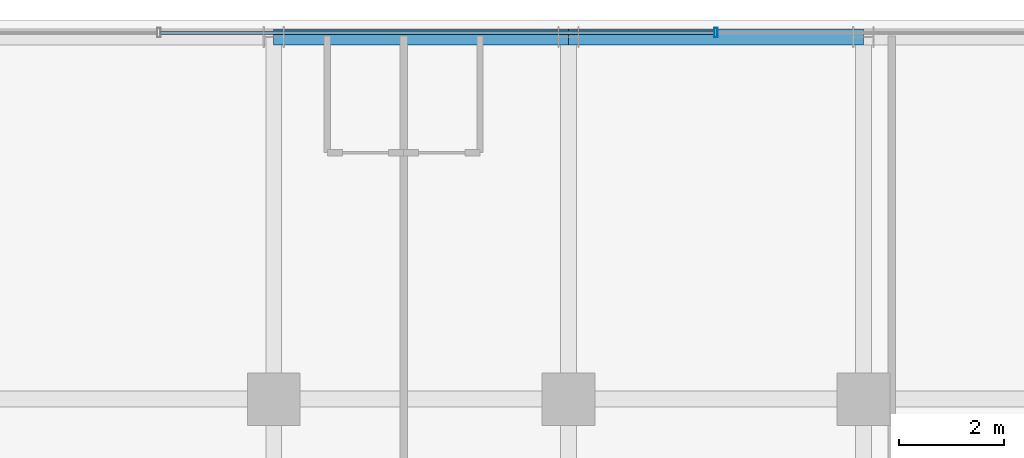
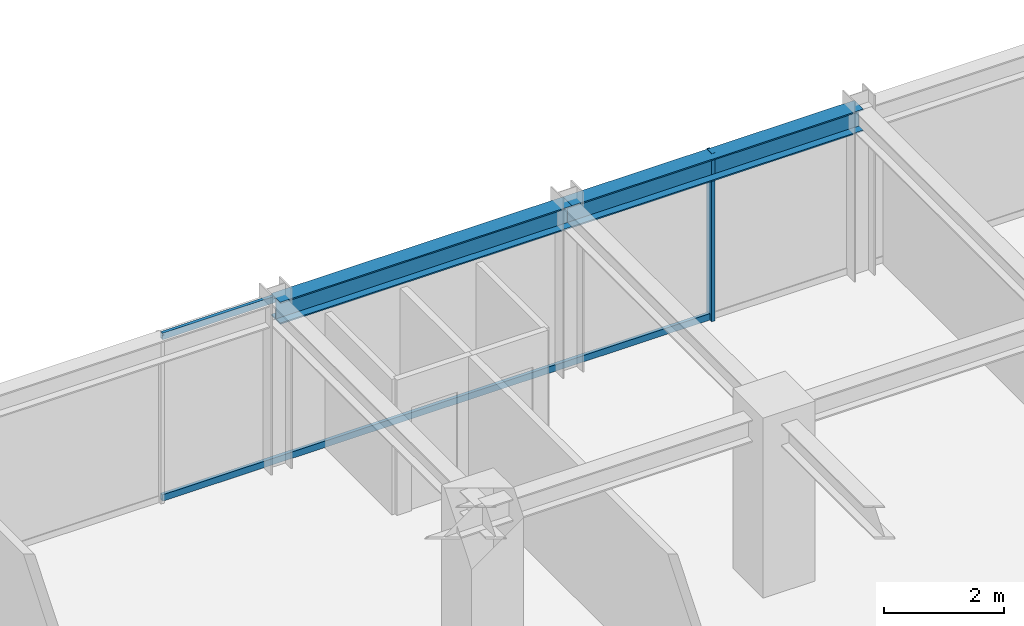
# One storey, part 21 of 34: 3 members, 2 beams, 1 element without a shape of its own.
"""IFC4 building model written with IfcOpenShell, lengths in metres."""

from ifc_helpers import new_model, si_unit, direction, frame, origin, origin_2d, place, context, subcontext, project, spatial, hollow_rectangle, i_section, extrude, source, transform, mapped, material, material_profile, profile_set, type_object, element, aggregate, save


model = new_model("IFC4")

# Units and contexts
model_context = context("Model", 3, precision=1e-05, world=origin(), true_north=direction((0.0, 1.0)))
body_context = subcontext(model_context, "Body", "Model", "MODEL_VIEW")
ifc_project = project(units=[si_unit("LENGTHUNIT", "METRE"), si_unit("AREAUNIT", "SQUARE_METRE"), si_unit("VOLUMEUNIT", "CUBIC_METRE"), si_unit("PLANEANGLEUNIT", "RADIAN"), si_unit("MASSUNIT", "GRAM", prefix="KILO")], contexts=[model_context])

# Site, building, storey
site_placement = place(None, origin())
site = spatial("IfcSite", under=ifc_project, at=site_placement, CompositionType="ELEMENT")
building_placement = place(site_placement, origin())
building = spatial("IfcBuilding", under=site, at=building_placement, Name="Nahalor Promenade Grand Hotel", CompositionType="ELEMENT")
storey_placement = place(building_placement, frame((0.0, 0.0, 238.199951171875)))
storey = spatial("IfcBuildingStorey", under=building, at=storey_placement, Name="L61", CompositionType="ELEMENT", Elevation=238.199951171875)

# Beams
ifc_material_1 = material(Name="Steel S355JR", Category="steel")
ifc_material_profile_1 = material_profile(ifc_material_1, i_section(OverallWidth=0.3, OverallDepth=0.45, WebThickness=0.014, FlangeThickness=0.026, at=origin_2d()), Name="HEB 450")
ifc_profile_set_1 = profile_set([ifc_material_profile_1], Name="Steel S355JR")
beam_type = type_object("IfcBeamType", Name="Beam-Spandrel-HEB450", PredefinedType="SPANDREL", material=ifc_profile_set_1)
shared_shape_1 = source(origin(), body_context, "Body", "SweptSolid", [
    extrude(i_section(OverallWidth=0.3, OverallDepth=0.45, WebThickness=0.014, FlangeThickness=0.026, at=origin_2d()), origin(), (0.0, 0.0, 1.0), 5.599853515625),
])
beam_1_placement = place(storey_placement, frame((-8.39990234375, 23.8798828125, 3.18505859375), z_axis=(1.0, 0.0, 0.0), x_axis=(0.0, 1.0, 0.0)))
element("IfcBeam", 1, at=beam_1_placement, inside=storey, type_object=beam_type, Name="BM-L61-SP-N-1", PredefinedType="SPANDREL", context=body_context, shape_type="MappedRepresentation", body=[
    mapped(shared_shape_1, transform((0.0, 0.0, 0.0), scale=1.0)),
])
shared_shape_2 = source(origin(), body_context, "Body", "SweptSolid", [
    extrude(i_section(OverallWidth=0.3, OverallDepth=0.45, WebThickness=0.014, FlangeThickness=0.026, at=origin_2d()), origin(), (0.0, 0.0, 1.0), 5.60009765625),
])
beam_2_placement = place(storey_placement, frame((-2.800048828125, 23.8798828125, 3.18505859375), z_axis=(1.0, 0.0, 0.0), x_axis=(0.0, 1.0, 0.0)))
element("IfcBeam", 2, at=beam_2_placement, inside=storey, type_object=beam_type, Name="BM-L61-SP-N-2", PredefinedType="SPANDREL", context=body_context, shape_type="MappedRepresentation", body=[
    mapped(shared_shape_2, transform((0.0, 0.0, 0.0), scale=1.0)),
])

# Curtain wall, members
ifc_material_2 = material(Name="Anodised Bronze Aluminium EN AW-6063 T6", Category="aluminium")
curtain_wall_type = type_object("IfcCurtainWallType", Name="CW2 Typical Hotel Flush Bronze Unitised Curtain Wall", PredefinedType="USERDEFINED", material=ifc_material_2)
curtain_wall_placement = place(storey_placement, origin())
curtain_wall = element("IfcCurtainWall", 3, at=curtain_wall_placement, inside=storey, type_object=curtain_wall_type, Name="L61 Curtain Wall CW-L61-N-1", ObjectType="UNITISED_CURTAIN_WALL", PredefinedType="USERDEFINED")
ifc_material_profile_2 = material_profile(ifc_material_2, hollow_rectangle(XDim=0.065, YDim=0.18, WallThickness=0.004, at=origin_2d()), Name="CWM 65x180x4")
ifc_profile_set_2 = profile_set([ifc_material_profile_2], Name="Anodised Bronze Aluminium EN AW-6063 T6")
member_type_1 = type_object("IfcMemberType", Name="CWM2 Typical Bronze Mullion 65x180", PredefinedType="MULLION", material=ifc_profile_set_2)
shared_shape_3 = source(origin(), body_context, "Body", "SweptSolid", [
    extrude(hollow_rectangle(XDim=0.065, YDim=0.18, WallThickness=0.004, at=origin_2d()), origin(), (0.0, 0.0, 1.0), 3.41015625),
])
member_1_placement = place(storey_placement, frame((0.0, 23.9599609375, 0.0), z_axis=(0.0, 0.0, 1.0), x_axis=(1.0, 0.0, 0.0)))
member_1 = element("IfcMember", 4, at=member_1_placement, type_object=member_type_1, Name="CW-L61-N-1 Mullion 2", PredefinedType="MULLION", context=body_context, shape_type="MappedRepresentation", body=[
    mapped(shared_shape_3, transform((0.0, 0.0, 0.0), scale=1.0)),
])
ifc_material_profile_3 = material_profile(ifc_material_2, hollow_rectangle(XDim=0.065, YDim=0.13, WallThickness=0.004, at=origin_2d()), Name="CWT 65x130x4")
ifc_profile_set_3 = profile_set([ifc_material_profile_3], Name="Anodised Bronze Aluminium EN AW-6063 T6")
member_type_2 = type_object("IfcMemberType", Name="CWT2 Typical Bronze Transom 65x130", PredefinedType="USERDEFINED", material=ifc_profile_set_3)
shared_shape_4 = source(origin(), body_context, "Body", "SweptSolid", [
    extrude(hollow_rectangle(XDim=0.065, YDim=0.13, WallThickness=0.004, at=origin_2d()), origin(), (0.0, 0.0, 1.0), 10.51513671875),
])
member_2_placement = place(storey_placement, frame((-10.547607421875, 23.9599609375, 0.06494140625), z_axis=(1.0, 0.0, 0.0), x_axis=(0.0, 1.0, 0.0)))
member_2 = element("IfcMember", 5, at=member_2_placement, type_object=member_type_2, Name="CW-L61-N-1 Transom 1-0", ObjectType="TRANSOM", PredefinedType="USERDEFINED", context=body_context, shape_type="MappedRepresentation", body=[
    mapped(shared_shape_4, transform((0.0, 0.0, 0.0), scale=1.0)),
])
member_3_placement = place(storey_placement, frame((-10.547607421875, 23.9599609375, 3.344970703125), z_axis=(1.0, 0.0, 0.0), x_axis=(0.0, 1.0, 0.0)))
member_3 = element("IfcMember", 6, at=member_3_placement, type_object=member_type_2, Name="CW-L61-N-1 Transom 1-1", ObjectType="TRANSOM", PredefinedType="USERDEFINED", context=body_context, shape_type="MappedRepresentation", body=[
    mapped(shared_shape_4, transform((0.0, 0.0, 0.0), scale=1.0)),
])
aggregate(curtain_wall, [member_1, member_2, member_3])

save(model, "model.ifc")
